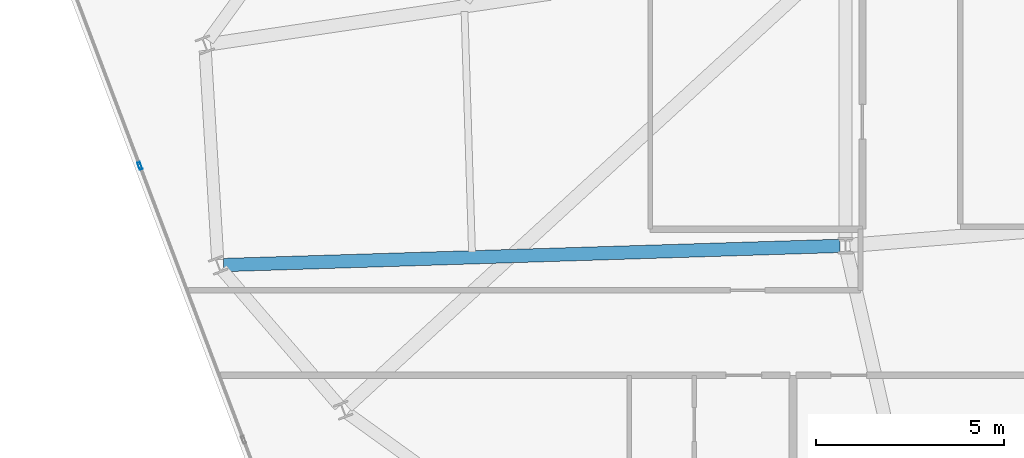
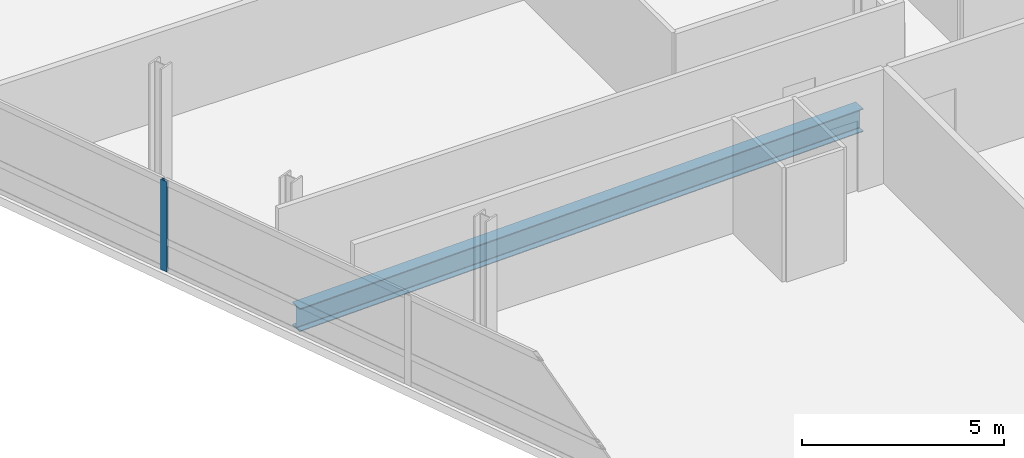
# One storey, part 6 of 19: 1 beam, 1 member, 1 element without a shape of its own.
"""IFC4 building model written with IfcOpenShell, lengths in metres."""

from ifc_helpers import new_model, si_unit, direction, frame, origin, origin_2d, place, context, subcontext, project, spatial, hollow_rectangle, i_section, extrude, material, layer, layer_set, material_profile, profile_set, type_object, element, aggregate, save


model = new_model("IFC4")

# Units and contexts
model_context = context("Model", 3, precision=1e-05, world=origin(), true_north=direction((0.0, 1.0)))
body_context = subcontext(model_context, "Body", "Model", "MODEL_VIEW")
ifc_project = project(units=[si_unit("LENGTHUNIT", "METRE"), si_unit("AREAUNIT", "SQUARE_METRE"), si_unit("VOLUMEUNIT", "CUBIC_METRE"), si_unit("PLANEANGLEUNIT", "RADIAN"), si_unit("MASSUNIT", "GRAM", prefix="KILO")], contexts=[model_context])

# Site, building, storey
site_placement = place(None, origin())
site = spatial("IfcSite", under=ifc_project, at=site_placement, CompositionType="ELEMENT")
building_placement = place(site_placement, origin())
building = spatial("IfcBuilding", under=site, at=building_placement, Name="Varnelok Gate Tower", CompositionType="ELEMENT")
storey_placement = place(building_placement, frame((0.0, 0.0, 231.199951171875)))
storey = spatial("IfcBuildingStorey", under=building, at=storey_placement, Name="L59", CompositionType="ELEMENT", Elevation=231.199951171875)

# Beam
ifc_material_1 = material(Name="Structural Steel ASTM A992 Grade 50", Category="steel")
ifc_material_profile_1 = material_profile(ifc_material_1, i_section(OverallWidth=0.35498046875, OverallDepth=0.696044921875, WebThickness=0.015380859375, FlangeThickness=0.02490234375, FilletRadius=0.02001953125, at=origin_2d()), Name="W27X146")
ifc_profile_set_1 = profile_set([ifc_material_profile_1], Name="Structural Steel ASTM A992 Grade 50")
beam_type = type_object("IfcBeamType", Name="BM-PRI-W27X146", PredefinedType="BEAM", material=ifc_profile_set_1)
beam_placement = place(storey_placement, frame((24.25, 18.79541015625, -0.597900390625), z_axis=(-0.999516665435, -0.031087546033, 0.0), x_axis=(0.031087546033, -0.999516665435, 0.0)))
element("IfcBeam", 1, at=beam_placement, inside=storey, type_object=beam_type, Name="L59 Radial Floor Girder 15", PredefinedType="BEAM", context=body_context, shape_type="SweptSolid", body=[
    extrude(i_section(OverallWidth=0.35498046875, OverallDepth=0.696044921875, WebThickness=0.015380859375, FlangeThickness=0.02490234375, FilletRadius=0.02001953125, at=origin_2d()), origin(), (0.0, 0.0, 1.0), 16.413330078125),
])

# Curtain wall, member
ifc_material_2 = material(Name="Anodized Aluminum Alloy 6063-T6", Category="aluminium")
ifc_layer = layer(ifc_material_2, 0.179931640625)
ifc_layer_set = layer_set([ifc_layer], Name="Anodized Aluminum Alloy 6063-T6")
curtain_wall_type = type_object("IfcCurtainWallType", Name="CW4-RESIDENCE-VISION", PredefinedType="USERDEFINED", material=ifc_layer_set)
curtain_wall_placement = place(storey_placement, origin())
curtain_wall = element("IfcCurtainWall", 2, at=curtain_wall_placement, inside=storey, type_object=curtain_wall_type, Name="L59 West End Vision Curtain Wall", ObjectType="UNITISED CURTAIN WALL", PredefinedType="USERDEFINED")
ifc_material_profile_2 = material_profile(ifc_material_2, hollow_rectangle(XDim=0.074951171875, YDim=0.199951171875, WallThickness=0.00390625, at=origin_2d()), Name="ALU200X75X4")
ifc_profile_set_2 = profile_set([ifc_material_profile_2], Name="Anodized Aluminum Alloy 6063-T6")
member_type = type_object("IfcMemberType", Name="CW-MULL-200", PredefinedType="MULLION", material=ifc_profile_set_2)
member_placement = place(storey_placement, frame((5.61328125, 20.9248046875, 0.0), z_axis=(0.0, 0.0, 1.0), x_axis=(-0.935221557832, -0.354063042079, 0.0)))
member = element("IfcMember", 3, at=member_placement, type_object=member_type, Name="CW4 mullion 4", PredefinedType="MULLION", context=body_context, shape_type="SweptSolid", body=[
    extrude(hollow_rectangle(XDim=0.074951171875, YDim=0.199951171875, WallThickness=0.00390625, at=origin_2d()), origin(), (0.0, 0.0, 1.0), 2.72998046875),
])
aggregate(curtain_wall, [member])

save(model, "model.ifc")
